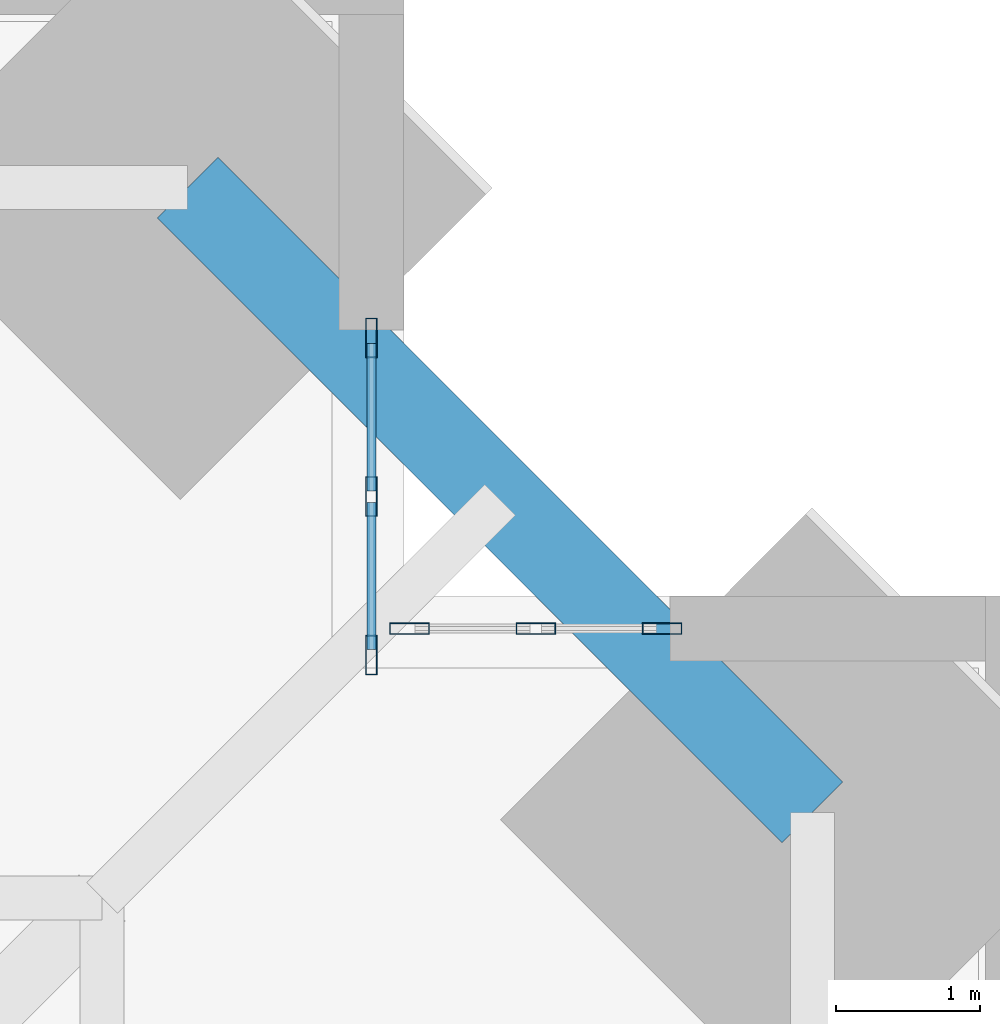
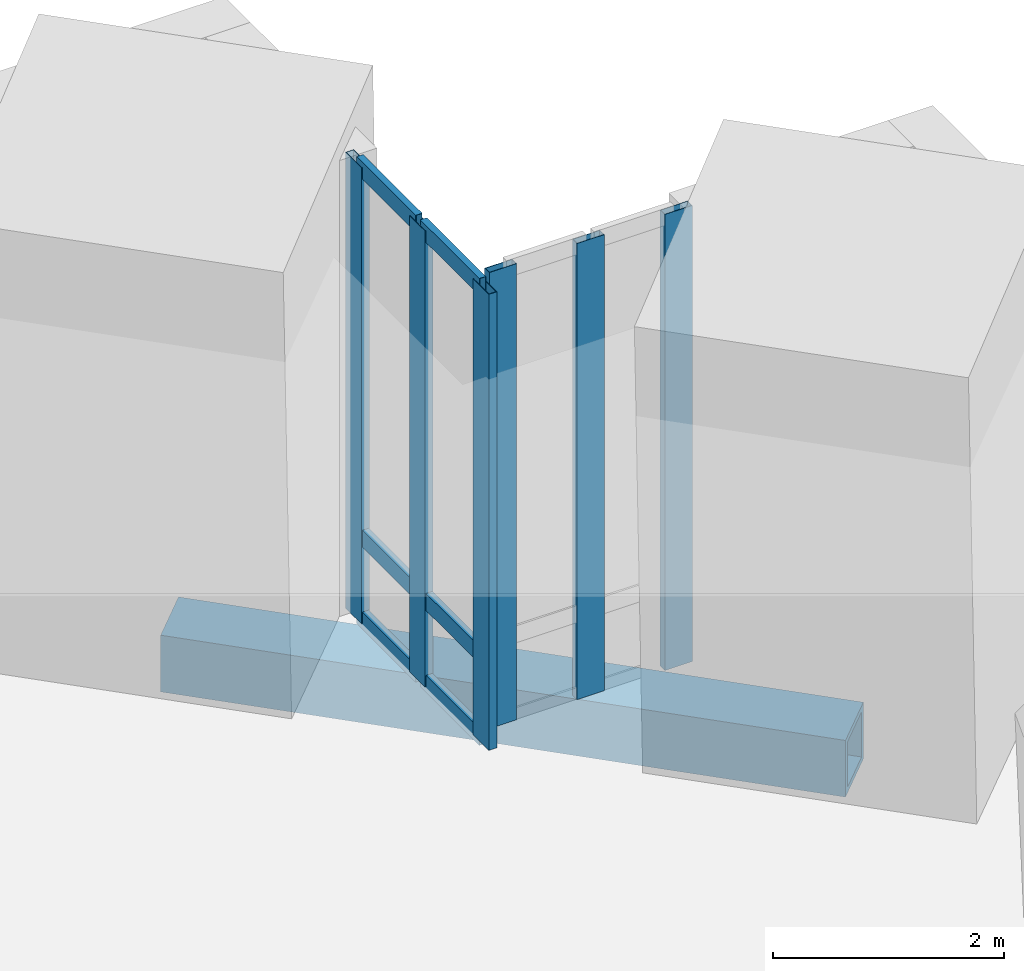
# One storey, part 8 of 18: 12 members, 1 beam, 2 elements without a shape of their own.
"""IFC4 building model written with IfcOpenShell, lengths in metres."""

from ifc_helpers import new_model, si_unit, direction, frame, origin, origin_2d, place, context, subcontext, project, spatial, hollow_rectangle, extrude, material, material_profile, profile_set, type_object, element, aggregate, save


model = new_model("IFC4")

# Units and contexts
model_context = context("Model", 3, precision=1e-05, world=origin(), true_north=direction((0.0, 1.0)))
body_context = subcontext(model_context, "Body", "Model", "MODEL_VIEW")
ifc_project = project(units=[si_unit("LENGTHUNIT", "METRE"), si_unit("AREAUNIT", "SQUARE_METRE"), si_unit("VOLUMEUNIT", "CUBIC_METRE"), si_unit("PLANEANGLEUNIT", "RADIAN"), si_unit("MASSUNIT", "GRAM", prefix="KILO")], contexts=[model_context])

# Site, building, storey
site_placement = place(None, origin())
site = spatial("IfcSite", under=ifc_project, at=site_placement, CompositionType="ELEMENT")
building_placement = place(site_placement, origin())
building = spatial("IfcBuilding", under=site, at=building_placement, Name="Peilmerk Tower", CompositionType="ELEMENT")
storey_placement = place(building_placement, frame((0.0, 0.0, 122.800048828125)))
storey = spatial("IfcBuildingStorey", under=building, at=storey_placement, Name="L24", CompositionType="ELEMENT", Elevation=122.800048828125)

# Beam
ifc_material_1 = material(Name="Steel S460", Category="steel")
ifc_material_profile_1 = material_profile(ifc_material_1, hollow_rectangle(XDim=0.60009765625, YDim=0.60009765625, WallThickness=0.06005859375, at=origin_2d()), Name="BOX 600x600x60")
ifc_profile_set_1 = profile_set([ifc_material_profile_1], Name="Steel S460")
beam_type = type_object("IfcBeamType", Name="B20 BOX 600x600x60 notch beam", PredefinedType="SPANDREL", material=ifc_profile_set_1)
beam_placement = place(storey_placement, frame((21.59521484375, 25.945068359375, -0.5), z_axis=(0.707106781187, -0.707106781187, 0.0), x_axis=(0.707106781187, 0.707106781187, 0.0)))
element("IfcBeam", 1, at=beam_placement, inside=storey, type_object=beam_type, Name="Notch beam L24", PredefinedType="SPANDREL", context=body_context, shape_type="SweptSolid", body=[
    extrude(hollow_rectangle(XDim=0.60009765625, YDim=0.60009765625, WallThickness=0.06005859375, at=origin_2d()), origin(), (0.0, 0.0, 1.0), 6.151611328125),
])

# Curtain wall, members
ifc_material_2 = material(Name="Aluminium stick curtain wall", Category="aluminium")
curtain_wall_type = type_object("IfcCurtainWallType", Name="CW2 stick curtain wall, 2250 module", PredefinedType="NOTDEFINED", material=ifc_material_2)
curtain_wall_1_placement = place(storey_placement, origin())
curtain_wall_1 = element("IfcCurtainWall", 2, at=curtain_wall_1_placement, inside=storey, type_object=curtain_wall_type, Name="Curtain wall CW2 NEA L24", PredefinedType="NOTDEFINED")
ifc_material_3 = material(Name="Aluminium EN AW-6063 T6", Category="aluminium")
ifc_material_profile_2 = material_profile(ifc_material_3, hollow_rectangle(XDim=0.080078125, YDim=0.27490234375, WallThickness=0.0048828125, at=origin_2d()), Name="AL 275x80x5")
ifc_profile_set_2 = profile_set([ifc_material_profile_2], Name="Aluminium EN AW-6063 T6")
member_type_1 = type_object("IfcMemberType", Name="CW2-M AL 275x80x5 mullion", PredefinedType="MULLION", material=ifc_profile_set_2)
member_1_placement = place(storey_placement, frame((22.875, 22.68994140625, 0.0), z_axis=(0.0, 0.0, 1.0), x_axis=(-1.0, 0.0, 0.0)))
member_1 = element("IfcMember", 3, at=member_1_placement, type_object=member_type_1, Name="CW2 mullion 1", PredefinedType="MULLION", context=body_context, shape_type="SweptSolid", body=[
    extrude(hollow_rectangle(XDim=0.080078125, YDim=0.27490234375, WallThickness=0.0048828125, at=origin_2d()), origin(), (0.0, 0.0, 1.0), 4.829833984375),
])
member_2_placement = place(storey_placement, frame((22.875, 23.79443359375, 0.0), z_axis=(0.0, 0.0, 1.0), x_axis=(-1.0, 0.0, 0.0)))
member_2 = element("IfcMember", 4, at=member_2_placement, type_object=member_type_1, Name="CW2 mullion 2", PredefinedType="MULLION", context=body_context, shape_type="SweptSolid", body=[
    extrude(hollow_rectangle(XDim=0.080078125, YDim=0.27490234375, WallThickness=0.0048828125, at=origin_2d()), origin(), (0.0, 0.0, 1.0), 4.829833984375),
])
member_3_placement = place(storey_placement, frame((22.875, 24.898681640625, 0.0), z_axis=(0.0, 0.0, 1.0), x_axis=(-1.0, 0.0, 0.0)))
member_3 = element("IfcMember", 5, at=member_3_placement, type_object=member_type_1, Name="CW2 mullion 3", PredefinedType="MULLION", context=body_context, shape_type="SweptSolid", body=[
    extrude(hollow_rectangle(XDim=0.080078125, YDim=0.27490234375, WallThickness=0.0048828125, at=origin_2d()), origin(), (0.0, 0.0, 1.0), 4.829833984375),
])

curtain_wall_2_placement = place(storey_placement, origin())
curtain_wall_2 = element("IfcCurtainWall", 6, at=curtain_wall_2_placement, inside=storey, type_object=curtain_wall_type, Name="Curtain wall CW2 NEB L24", PredefinedType="NOTDEFINED")
member_4_placement = place(storey_placement, frame((23.139892578125, 22.875, 0.0), z_axis=(0.0, 0.0, 1.0), x_axis=(0.0, 1.0, 0.0)))
member_4 = element("IfcMember", 7, at=member_4_placement, type_object=member_type_1, Name="CW2 mullion 1", PredefinedType="MULLION", context=body_context, shape_type="SweptSolid", body=[
    extrude(hollow_rectangle(XDim=0.080078125, YDim=0.27490234375, WallThickness=0.0048828125, at=origin_2d()), origin(), (0.0, 0.0, 1.0), 4.829833984375),
])
member_5_placement = place(storey_placement, frame((24.019287109375, 22.875, 0.0), z_axis=(0.0, 0.0, 1.0), x_axis=(0.0, 1.0, 0.0)))
member_5 = element("IfcMember", 8, at=member_5_placement, type_object=member_type_1, Name="CW2 mullion 2", PredefinedType="MULLION", context=body_context, shape_type="SweptSolid", body=[
    extrude(hollow_rectangle(XDim=0.080078125, YDim=0.27490234375, WallThickness=0.0048828125, at=origin_2d()), origin(), (0.0, 0.0, 1.0), 4.829833984375),
])
member_6_placement = place(storey_placement, frame((24.898681640625, 22.875, 0.0), z_axis=(0.0, 0.0, 1.0), x_axis=(0.0, 1.0, 0.0)))
member_6 = element("IfcMember", 9, at=member_6_placement, type_object=member_type_1, Name="CW2 mullion 3", PredefinedType="MULLION", context=body_context, shape_type="SweptSolid", body=[
    extrude(hollow_rectangle(XDim=0.080078125, YDim=0.27490234375, WallThickness=0.0048828125, at=origin_2d()), origin(), (0.0, 0.0, 1.0), 4.829833984375),
])
aggregate(curtain_wall_2, [member_4, member_5, member_6])

# Member
ifc_material_profile_3 = material_profile(ifc_material_3, hollow_rectangle(XDim=0.06494140625, YDim=0.179931640625, WallThickness=0.0029296875, at=origin_2d()), Name="AL 180x65x3")
ifc_profile_set_3 = profile_set([ifc_material_profile_3], Name="Aluminium EN AW-6063 T6")
member_type_2 = type_object("IfcMemberType", Name="CW2-T AL 180x65x3 transom", PredefinedType="USERDEFINED", material=ifc_profile_set_3)
member_7_placement = place(storey_placement, frame((22.875, 22.72998046875, 0.032470703125), z_axis=(0.0, 1.0, 0.0), x_axis=(-1.0, 0.0, 0.0)))
member_7 = element("IfcMember", 10, at=member_7_placement, type_object=member_type_2, Name="CW2 transom 1.1", ObjectType="TRANSOM", PredefinedType="USERDEFINED", context=body_context, shape_type="SweptSolid", body=[
    extrude(hollow_rectangle(XDim=0.06494140625, YDim=0.179931640625, WallThickness=0.0029296875, at=origin_2d()), origin(), (0.0, 0.0, 1.0), 1.0244140625),
])

member_8_placement = place(storey_placement, frame((22.875, 22.72998046875, 0.89990234375), z_axis=(0.0, 1.0, 0.0), x_axis=(-1.0, 0.0, 0.0)))
member_8 = element("IfcMember", 11, at=member_8_placement, type_object=member_type_2, Name="CW2 transom 1.2", ObjectType="TRANSOM", PredefinedType="USERDEFINED", context=body_context, shape_type="SweptSolid", body=[
    extrude(hollow_rectangle(XDim=0.06494140625, YDim=0.179931640625, WallThickness=0.0029296875, at=origin_2d()), origin(), (0.0, 0.0, 1.0), 1.0244140625),
])

member_9_placement = place(storey_placement, frame((22.875, 22.72998046875, 4.79736328125), z_axis=(0.0, 1.0, 0.0), x_axis=(-1.0, 0.0, 0.0)))
member_9 = element("IfcMember", 12, at=member_9_placement, type_object=member_type_2, Name="CW2 transom 1.3", ObjectType="TRANSOM", PredefinedType="USERDEFINED", context=body_context, shape_type="SweptSolid", body=[
    extrude(hollow_rectangle(XDim=0.06494140625, YDim=0.179931640625, WallThickness=0.0029296875, at=origin_2d()), origin(), (0.0, 0.0, 1.0), 1.0244140625),
])

member_10_placement = place(storey_placement, frame((22.875, 23.834228515625, 0.032470703125), z_axis=(0.0, 1.0, 0.0), x_axis=(-1.0, 0.0, 0.0)))
member_10 = element("IfcMember", 13, at=member_10_placement, type_object=member_type_2, Name="CW2 transom 2.1", ObjectType="TRANSOM", PredefinedType="USERDEFINED", context=body_context, shape_type="SweptSolid", body=[
    extrude(hollow_rectangle(XDim=0.06494140625, YDim=0.179931640625, WallThickness=0.0029296875, at=origin_2d()), origin(), (0.0, 0.0, 1.0), 1.0244140625),
])

member_11_placement = place(storey_placement, frame((22.875, 23.834228515625, 0.89990234375), z_axis=(0.0, 1.0, 0.0), x_axis=(-1.0, 0.0, 0.0)))
member_11 = element("IfcMember", 14, at=member_11_placement, type_object=member_type_2, Name="CW2 transom 2.2", ObjectType="TRANSOM", PredefinedType="USERDEFINED", context=body_context, shape_type="SweptSolid", body=[
    extrude(hollow_rectangle(XDim=0.06494140625, YDim=0.179931640625, WallThickness=0.0029296875, at=origin_2d()), origin(), (0.0, 0.0, 1.0), 1.0244140625),
])

member_12_placement = place(storey_placement, frame((22.875, 23.834228515625, 4.79736328125), z_axis=(0.0, 1.0, 0.0), x_axis=(-1.0, 0.0, 0.0)))
member_12 = element("IfcMember", 15, at=member_12_placement, type_object=member_type_2, Name="CW2 transom 2.3", ObjectType="TRANSOM", PredefinedType="USERDEFINED", context=body_context, shape_type="SweptSolid", body=[
    extrude(hollow_rectangle(XDim=0.06494140625, YDim=0.179931640625, WallThickness=0.0029296875, at=origin_2d()), origin(), (0.0, 0.0, 1.0), 1.0244140625),
])

aggregate(curtain_wall_1, [member_1, member_2, member_3, member_7, member_8, member_9, member_10, member_11, member_12])

save(model, "model.ifc")
